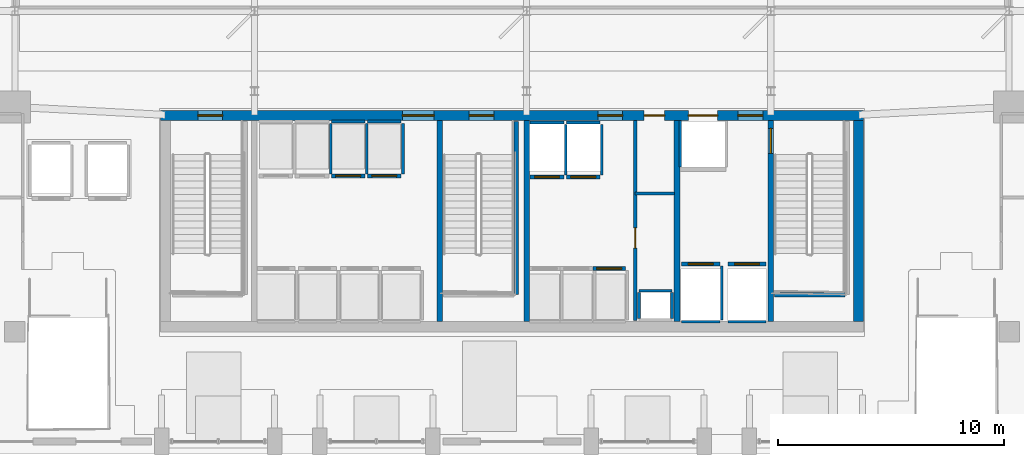
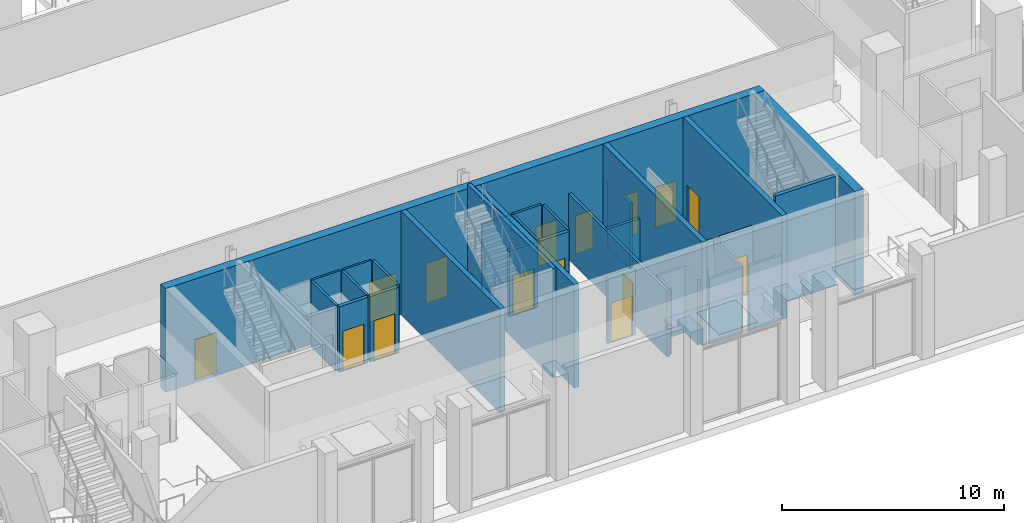
# One storey, part 20 of 36: 33 walls, 16 doors, 16 openings.
"""IFC4 building model written with IfcOpenShell, lengths in metres."""

import ifcopenshell
import ifcopenshell.guid

model = None  # the IFC model being written
_history = None  # IfcOwnerHistory: only IFC2X3 demands one
_inside = {}  # id of a spatial element -> (the spatial element, [elements in it])
_under = {}  # id of a project, library or spatial element -> (it, [spatial elements below it])
_declared = {}  # id of a project -> (the project, [libraries it declares])
_typed = {}  # id of a type object -> (the type object, [elements of that type])
_made_of = {}  # id of a material, layer set ... -> (it, [elements and type objects made of it])


def new_model(schema):
    """Start an empty IFC model of exactly this schema.

    Asked for "IFC4X3", IfcOpenShell would pick the latest addendum, in which some entities
    have other attributes; the version numbers below select the first issue.
    IFC2X3 requires an IfcOwnerHistory on every rooted entity: one is made here for all.
    """
    global model, _history
    if schema == "IFC4X3":
        model = ifcopenshell.file(schema_version=(4, 3, 0, 0))
    else:
        model = ifcopenshell.file(schema=schema)
    _inside.clear()
    _under.clear()
    _declared.clear()
    _typed.clear()
    _made_of.clear()
    _history = None
    if model.schema == "IFC2X3":
        org = make("IfcOrganization", Name="unknown")
        user = make(
            "IfcPersonAndOrganization",
            ThePerson=make("IfcPerson", FamilyName="unknown"),
            TheOrganization=org,
        )
        app = make(
            "IfcApplication",
            ApplicationDeveloper=org,
            Version="unknown",
            ApplicationFullName="unknown",
            ApplicationIdentifier="unknown",
        )
        _history = make(
            "IfcOwnerHistory",
            OwningUser=user,
            OwningApplication=app,
            ChangeAction="ADDED",
            CreationDate=0,
        )
    return model


def make(cls, **values):
    """One entity of the class cls with the attributes given. An attribute that is None is left unset."""
    return model.create_entity(
        cls, **{name: value for name, value in values.items() if value is not None}
    )


def rooted(cls, **values):
    """An entity with a GlobalId (a new one), such as an element, a storey or a relation."""
    return make(cls, GlobalId=ifcopenshell.guid.new(), OwnerHistory=_history, **values)


def si_unit(unit_type, name, prefix=None):
    """IfcSIUnit, for example si_unit("LENGTHUNIT", "METRE", prefix="MILLI")."""
    return make("IfcSIUnit", UnitType=unit_type, Prefix=prefix, Name=name)


def assignment(units):
    """IfcUnitAssignment: the units of a project."""
    return None if units is None else make("IfcUnitAssignment", Units=units)


def point(xyz):
    """IfcCartesianPoint."""
    return None if xyz is None else make("IfcCartesianPoint", Coordinates=xyz)


def direction(xyz):
    """IfcDirection."""
    return None if xyz is None else make("IfcDirection", DirectionRatios=xyz)


def frame(location, z_axis=None, x_axis=None):
    """IfcAxis2Placement3D, a coordinate frame: its origin and axes. An axis left out is left unset."""
    return make(
        "IfcAxis2Placement3D",
        Location=point(location),
        Axis=direction(z_axis),
        RefDirection=direction(x_axis),
    )


def frame_2d(location, x_axis=None):
    """IfcAxis2Placement2D, a coordinate frame in the plane: its origin and x axis."""
    return make(
        "IfcAxis2Placement2D", Location=point(location), RefDirection=direction(x_axis)
    )


def origin():
    """The frame at (0, 0, 0) with its axes left unset."""
    return frame((0.0, 0.0, 0.0))


def place(relative_to, where):
    """IfcLocalPlacement: puts the frame where relative to a parent placement (None: the world)."""
    return make(
        "IfcLocalPlacement", PlacementRelTo=relative_to, RelativePlacement=where
    )


def context(
    kind, dimensions, precision=None, world=None, true_north=None, identifier=None
):
    """IfcGeometricRepresentationContext, for example the 3D "Model" context."""
    return make(
        "IfcGeometricRepresentationContext",
        ContextIdentifier=identifier,
        ContextType=kind,
        CoordinateSpaceDimension=dimensions,
        Precision=precision,
        WorldCoordinateSystem=world,
        TrueNorth=true_north,
    )


def subcontext(parent, identifier, kind, view, scale=None):
    """IfcGeometricRepresentationSubContext, for example "Body" below "Model"."""
    return make(
        "IfcGeometricRepresentationSubContext",
        ContextIdentifier=identifier,
        ContextType=kind,
        ParentContext=parent,
        TargetScale=scale,
        TargetView=view,
    )


def project(units=None, contexts=None):
    """IfcProject with its units and contexts."""
    return rooted(
        "IfcProject",
        Name="project",
        RepresentationContexts=contexts,
        UnitsInContext=assignment(units),
    )


def spatial(cls, under=None, at=None, **own):
    """A site, building, storey or space (cls), placed at a placement, below another one or the project."""
    s = rooted(cls, ObjectPlacement=at, **own)
    if under is not None:
        _under.setdefault(under.id(), (under, []))[1].append(s)
    return s


def profile(cls, at=None, kind="AREA", **sizes):
    """A parametric profile (cls). Its sizes go by their IFC names, for example OverallWidth=200.0."""
    return make(cls, ProfileType=kind, Position=at, **sizes)


def rectangle(**sizes):
    """IfcRectangleProfileDef."""
    return profile("IfcRectangleProfileDef", **sizes)


def extrude(swept, where, along, depth):
    """IfcExtrudedAreaSolid: the profile swept, set in the frame where, extruded along a direction by depth."""
    return make(
        "IfcExtrudedAreaSolid",
        SweptArea=swept,
        Position=where,
        ExtrudedDirection=direction(along),
        Depth=depth,
    )


def shape(context_of_items, identifier, shape_type, items):
    """IfcShapeRepresentation: the items that make up one representation, for example the "Body"."""
    return make(
        "IfcShapeRepresentation",
        ContextOfItems=context_of_items,
        RepresentationIdentifier=identifier,
        RepresentationType=shape_type,
        Items=items,
    )


def material(Name=None, Category=None):
    """IfcMaterial."""
    return make("IfcMaterial", Name=Name, Category=Category)


def layer(
    of_material, thickness, ventilated=None, Name=None, Category=None, Priority=None
):
    """IfcMaterialLayer: one layer of a wall or slab, of a material (None: an air gap)."""
    return make(
        "IfcMaterialLayer",
        Material=of_material,
        LayerThickness=thickness,
        IsVentilated=ventilated,
        Name=Name,
        Category=Category,
        Priority=Priority,
    )


def layer_set(layers, Name=None):
    """IfcMaterialLayerSet."""
    return make("IfcMaterialLayerSet", MaterialLayers=layers, LayerSetName=Name)


def made_of(thing, what):
    """Note that an element or type object is made of a material, layer set ...; save() writes the relation."""
    if what is not None:
        _made_of.setdefault(what.id(), (what, []))[1].append(thing)
    return thing


def type_object(cls, material=None, **own):
    """A type object (cls), such as IfcWallType, which elements share."""
    return made_of(rooted(cls, **own), material)


def element(
    cls,
    number,
    at=None,
    inside=None,
    cuts=None,
    type_object=None,
    material=None,
    context=None,
    identifier="Body",
    shape_type=None,
    held_by="IfcProductDefinitionShape",
    body=None,
    shapes=None,
    **own,
):
    """One element of the class cls, such as IfcWall. Its Tag is "e" and its number.

    at: its placement. inside: the storey or other place that contains it. cuts: it is an
    opening in that element (IfcRelVoidsElement). A single representation is given by context,
    identifier, shape_type and body (its items); several are given by shapes. held_by: the class
    of the entity that holds the representations. save() writes the other relations.
    """
    e = rooted(cls, Tag="e%d" % number, ObjectPlacement=at, **own)
    if body is not None:
        shapes = [shape(context, identifier, shape_type, body)]
    if shapes is not None:
        e.Representation = make(held_by, Representations=shapes)
    if inside is not None:
        _inside.setdefault(inside.id(), (inside, []))[1].append(e)
    if cuts is not None:
        rooted(
            "IfcRelVoidsElement", RelatingBuildingElement=cuts, RelatedOpeningElement=e
        )
    if type_object is not None:
        _typed.setdefault(type_object.id(), (type_object, []))[1].append(e)
    return made_of(e, material)


def fill(opening, filler):
    """IfcRelFillsElement: the door or window that sits in an opening."""
    return rooted(
        "IfcRelFillsElement",
        RelatingOpeningElement=opening,
        RelatedBuildingElement=filler,
    )


def aggregate(whole, parts):
    """IfcRelAggregates: a whole, such as a stair, and the parts it consists of."""
    return rooted("IfcRelAggregates", RelatingObject=whole, RelatedObjects=parts)


def save(model, path):
    """Write the relations noted so far, then the file.

    IfcRelAggregates (storeys below a building ...), IfcRelContainedInSpatialStructure (elements
    in a storey), IfcRelDefinesByType, IfcRelAssociatesMaterial and IfcRelDeclares: one each for
    every whole, place, type object, material and project.
    """
    for whole, parts in _under.values():
        aggregate(whole, parts)
    for where, things in _inside.values():
        rooted(
            "IfcRelContainedInSpatialStructure",
            RelatedElements=things,
            RelatingStructure=where,
        )
    for kind, things in _typed.values():
        rooted("IfcRelDefinesByType", RelatedObjects=things, RelatingType=kind)
    for what, things in _made_of.values():
        rooted("IfcRelAssociatesMaterial", RelatedObjects=things, RelatingMaterial=what)
    for by, libraries in _declared.values():
        rooted("IfcRelDeclares", RelatingContext=by, RelatedDefinitions=libraries)
    model.write(path)


model = new_model("IFC4")

# Units and contexts
model_context = context("Model", 3, precision=1e-05, world=origin(), true_north=direction((0.0, 1.0)))
body_context = subcontext(model_context, "Body", "Model", "MODEL_VIEW")
ifc_project = project(units=[si_unit("LENGTHUNIT", "METRE"), si_unit("AREAUNIT", "SQUARE_METRE"), si_unit("VOLUMEUNIT", "CUBIC_METRE"), si_unit("PLANEANGLEUNIT", "RADIAN"), si_unit("MASSUNIT", "GRAM", prefix="KILO")], contexts=[model_context])

# Site, building, storey
site_placement = place(None, origin())
site = spatial("IfcSite", under=ifc_project, at=site_placement, CompositionType="ELEMENT")
building_placement = place(site_placement, origin())
building = spatial("IfcBuilding", under=site, at=building_placement, Name="Ndaravel Arena Tower", CompositionType="ELEMENT")
storey_placement = place(building_placement, origin())
storey = spatial("IfcBuildingStorey", under=building, at=storey_placement, Name="L00", CompositionType="ELEMENT", Elevation=0.0)

# Wall, opening, door
ifc_material_1 = material(Name="Gypsum", Category="gypsum")
ifc_layer_1 = layer(ifc_material_1, 0.14990234375)
ifc_layer_set_1 = layer_set([ifc_layer_1], Name="Gypsum")
wall_type_1 = type_object("IfcWallType", Name="WALL-COMP-150", PredefinedType="PARTITIONING", material=ifc_layer_set_1)
wall_1_placement = place(storey_placement, frame((47.449951171875, 5.89990234375, 0.0), z_axis=(0.0, 0.0, 1.0), x_axis=(0.0, 1.0, 0.0)))
wall_1 = element("IfcWall", 1, at=wall_1_placement, inside=storey, type_object=wall_type_1, Name="L00 Core Riser Bay Partition", PredefinedType="PARTITIONING", context=body_context, shape_type="SweptSolid", body=[
    extrude(rectangle(XDim=8.85009765625, YDim=0.14990234375, at=frame_2d((4.425048828125, 0.0))), origin(), (0.0, 0.0, 1.0), 3.60009765625),
])
opening_1_placement = place(wall_1_placement, frame((3.199951171875, 0.0, 0.0)))
opening_1 = element("IfcOpeningElement", 2, at=opening_1_placement, cuts=wall_1, Name="Opening RD-01", PredefinedType="OPENING", context=body_context, shape_type="SweptSolid", body=[
    extrude(rectangle(XDim=0.89990234375, YDim=2.10009765625, at=frame_2d((0.449951171875, 1.050048828125))), frame((0.0, 0.074951171875, 0.0), z_axis=(0.0, -1.0, 0.0), x_axis=(1.0, 0.0, 0.0)), (0.0, 0.0, 1.0), 0.14990234375),
])
ifc_material_2 = material(Name="Steel S355", Category="steel")
door_type_1 = type_object("IfcDoorType", Name="DT-08-RISER-900", OperationType="SINGLE_SWING_LEFT", PredefinedType="DOOR", material=ifc_material_2)
door_1_placement = place(opening_1_placement, origin())
door_1 = element("IfcDoor", 3, at=door_1_placement, inside=storey, type_object=door_type_1, Name="L00 Sub-Metering Closet Door", OperationType="SINGLE_SWING_LEFT", OverallHeight=2.10009765625, OverallWidth=0.89990234375, PredefinedType="DOOR", context=body_context, shape_type="SweptSolid", body=[
    extrude(rectangle(XDim=0.89990234375, YDim=2.10009765625, at=frame_2d((0.449951171875, 1.050048828125))), frame((0.0, 0.02490234375, 0.0), z_axis=(0.0, -1.0, 0.0), x_axis=(1.0, 0.0, 0.0)), (0.0, 0.0, 1.0), 0.050048828125),
])
fill(opening_1, door_1)

# Walls
wall_2_placement = place(storey_placement, frame((47.449951171875, 11.52001953125, 0.0), z_axis=(0.0, 0.0, 1.0), x_axis=(1.0, 0.0, 0.0)))
element("IfcWall", 4, at=wall_2_placement, inside=storey, type_object=wall_type_1, Name="L00 Core Riser Divider 1", PredefinedType="PARTITIONING", context=body_context, shape_type="SweptSolid", body=[
    extrude(rectangle(XDim=1.72998046875, YDim=0.14990234375, at=frame_2d((0.864990234375, 0.0))), origin(), (0.0, 0.0, 1.0), 3.60009765625),
])
ifc_material_3 = material(Name="Concrete C60/75", Category="concrete")
ifc_layer_2 = layer(ifc_material_3, 0.25)
ifc_layer_set_2 = layer_set([ifc_layer_2], Name="Concrete C60/75")
wall_type_2 = type_object("IfcWallType", Name="WALL-CORE-250", PredefinedType="SOLIDWALL", material=ifc_layer_set_2)
for number, where, z_axis, x_axis, name in (
    (5, (38.800048828125, 5.85009765625, 0.0), (0.0, 0.0, 1.0), (0.0, 1.0, 0.0), "L00 Core Web Shear Wall 2"),
    (6, (42.64990234375, 5.85009765625, 0.0), (0.0, 0.0, 1.0), (0.0, 1.0, 0.0), "L00 Core Web Shear Wall 3"),
    (7, (49.300048828125, 5.85009765625, 0.0), (0.0, 0.0, 1.0), (0.0, 1.0, 0.0), "L00 Core Web Shear Wall 4"),
):
    element("IfcWall", number, at=place(storey_placement, frame(where, z_axis=z_axis, x_axis=x_axis)), inside=storey, type_object=wall_type_2, Name=name, PredefinedType="SOLIDWALL", context=body_context, shape_type="SweptSolid", body=[
        extrude(rectangle(XDim=8.89990234375, YDim=0.25, at=frame_2d((4.449951171875, 0.0))), origin(), (0.0, 0.0, 1.0), 5.699951171875),
    ])

# Wall, opening, door
wall_3_placement = place(storey_placement, frame((53.449951171875, 5.85009765625, 0.0), z_axis=(0.0, 0.0, 1.0), x_axis=(0.0, 1.0, 0.0)))
wall_3 = element("IfcWall", 8, at=wall_3_placement, inside=storey, type_object=wall_type_2, Name="L00 Core Web Shear Wall 5", PredefinedType="SOLIDWALL", context=body_context, shape_type="SweptSolid", body=[
    extrude(rectangle(XDim=8.89990234375, YDim=0.25, at=frame_2d((4.449951171875, 0.0))), origin(), (0.0, 0.0, 1.0), 5.699951171875),
])
opening_2_placement = place(wall_3_placement, frame((7.449951171875, 0.0, 0.0)))
opening_2 = element("IfcOpeningElement", 9, at=opening_2_placement, cuts=wall_3, Name="Opening FD-01", PredefinedType="OPENING", context=body_context, shape_type="SweptSolid", body=[
    extrude(rectangle(XDim=1.10009765625, YDim=2.199951171875, at=frame_2d((0.550048828125, 1.10009765625))), frame((0.0, 0.125, 0.0), z_axis=(0.0, -1.0, 0.0), x_axis=(1.0, 0.0, 0.0)), (0.0, 0.0, 1.0), 0.25),
])
ifc_material_4 = material(Name="Steel S355", Category="steel")
door_type_2 = type_object("IfcDoorType", Name="DT-01-STAIR-1100", OperationType="SINGLE_SWING_LEFT", PredefinedType="DOOR", material=ifc_material_4)
door_2_placement = place(opening_2_placement, origin())
door_2 = element("IfcDoor", 10, at=door_2_placement, inside=storey, type_object=door_type_2, Name="L00 Firefighting Lobby to ST-3 Door", OperationType="SINGLE_SWING_LEFT", OverallHeight=2.199951171875, OverallWidth=1.10009765625, PredefinedType="DOOR", context=body_context, shape_type="SweptSolid", body=[
    extrude(rectangle(XDim=1.10009765625, YDim=2.199951171875, at=frame_2d((0.550048828125, 1.10009765625))), frame((0.0, 0.02490234375, 0.0), z_axis=(0.0, -1.0, 0.0), x_axis=(1.0, 0.0, 0.0)), (0.0, 0.0, 1.0), 0.050048828125),
])
fill(opening_2, door_2)

# Wall, openings, doors
ifc_material_5 = material(Name="Concrete C60/75", Category="concrete")
ifc_layer_3 = layer(ifc_material_5, 0.449951171875)
ifc_layer_set_3 = layer_set([ifc_layer_3], Name="Concrete C60/75")
wall_type_3 = type_object("IfcWallType", Name="WALL-CORE-450", PredefinedType="SOLIDWALL", material=ifc_layer_set_3)
wall_4_placement = place(storey_placement, frame((26.449951171875, 14.97509765625, 0.0), z_axis=(0.0, 0.0, 1.0), x_axis=(1.0, 0.0, 0.0)))
wall_4 = element("IfcWall", 11, at=wall_4_placement, inside=storey, type_object=wall_type_3, Name="L00 Core North Shear Wall", PredefinedType="SOLIDWALL", context=body_context, shape_type="SweptSolid", body=[
    extrude(rectangle(XDim=31.10009765625, YDim=0.449951171875, at=frame_2d((15.550048828125, 0.0))), origin(), (0.0, 0.0, 1.0), 5.699951171875),
])
opening_3_placement = place(wall_4_placement, frame((1.64990234375, 0.0, 0.0)))
opening_3 = element("IfcOpeningElement", 12, at=opening_3_placement, cuts=wall_4, Name="Opening FD-01", PredefinedType="OPENING", context=body_context, shape_type="SweptSolid", body=[
    extrude(rectangle(XDim=1.10009765625, YDim=2.199951171875, at=frame_2d((0.550048828125, 1.10009765625))), frame((0.0, 0.22509765625, 0.0), z_axis=(0.0, -1.0, 0.0), x_axis=(1.0, 0.0, 0.0)), (0.0, 0.0, 1.0), 0.449951171875),
])
opening_4_placement = place(wall_4_placement, frame((13.64990234375, 0.0, 0.0)))
opening_4 = element("IfcOpeningElement", 13, at=opening_4_placement, cuts=wall_4, Name="Opening FD-01", PredefinedType="OPENING", context=body_context, shape_type="SweptSolid", body=[
    extrude(rectangle(XDim=1.10009765625, YDim=2.199951171875, at=frame_2d((0.550048828125, 1.10009765625))), frame((0.0, 0.22509765625, 0.0), z_axis=(0.0, -1.0, 0.0), x_axis=(1.0, 0.0, 0.0)), (0.0, 0.0, 1.0), 0.449951171875),
])
opening_5_placement = place(wall_4_placement, frame((25.550048828125, 0.0, 0.0)))
opening_5 = element("IfcOpeningElement", 14, at=opening_5_placement, cuts=wall_4, Name="Opening FD-01", PredefinedType="OPENING", context=body_context, shape_type="SweptSolid", body=[
    extrude(rectangle(XDim=1.10009765625, YDim=2.199951171875, at=frame_2d((0.550048828125, 1.10009765625))), frame((0.0, 0.22509765625, 0.0), z_axis=(0.0, -1.0, 0.0), x_axis=(1.0, 0.0, 0.0)), (0.0, 0.0, 1.0), 0.449951171875),
])
opening_6_placement = place(wall_4_placement, frame((10.699951171875, 0.0, 0.0)))
opening_6 = element("IfcOpeningElement", 15, at=opening_6_placement, cuts=wall_4, Name="Opening ID-02", PredefinedType="OPENING", context=body_context, shape_type="SweptSolid", body=[
    extrude(rectangle(XDim=1.39990234375, YDim=2.199951171875, at=frame_2d((0.699951171875, 1.10009765625))), frame((0.0, 0.22509765625, 0.0), z_axis=(0.0, -1.0, 0.0), x_axis=(1.0, 0.0, 0.0)), (0.0, 0.0, 1.0), 0.449951171875),
])
opening_7_placement = place(wall_4_placement, frame((19.35009765625, 0.0, 0.0)))
opening_7 = element("IfcOpeningElement", 16, at=opening_7_placement, cuts=wall_4, Name="Opening FD-01", PredefinedType="OPENING", context=body_context, shape_type="SweptSolid", body=[
    extrude(rectangle(XDim=1.10009765625, YDim=2.199951171875, at=frame_2d((0.550048828125, 1.10009765625))), frame((0.0, 0.22509765625, 0.0), z_axis=(0.0, -1.0, 0.0), x_axis=(1.0, 0.0, 0.0)), (0.0, 0.0, 1.0), 0.449951171875),
])
opening_8_placement = place(wall_4_placement, frame((21.39990234375, 0.0, 0.0)))
opening_8 = element("IfcOpeningElement", 17, at=opening_8_placement, cuts=wall_4, Name="Opening RD-01", PredefinedType="OPENING", context=body_context, shape_type="SweptSolid", body=[
    extrude(rectangle(XDim=0.89990234375, YDim=2.10009765625, at=frame_2d((0.449951171875, 1.050048828125))), frame((0.0, 0.22509765625, 0.0), z_axis=(0.0, -1.0, 0.0), x_axis=(1.0, 0.0, 0.0)), (0.0, 0.0, 1.0), 0.449951171875),
])
opening_9_placement = place(wall_4_placement, frame((23.35009765625, 0.0, 0.0)))
opening_9 = element("IfcOpeningElement", 18, at=opening_9_placement, cuts=wall_4, Name="Opening LD-02", PredefinedType="OPENING", context=body_context, shape_type="SweptSolid", body=[
    extrude(rectangle(XDim=1.300048828125, YDim=2.300048828125, at=frame_2d((0.64990234375, 1.14990234375))), frame((0.0, 0.22509765625, 0.0), z_axis=(0.0, -1.0, 0.0), x_axis=(1.0, 0.0, 0.0)), (0.0, 0.0, 1.0), 0.449951171875),
])
door_3_placement = place(opening_3_placement, origin())
door_3 = element("IfcDoor", 19, at=door_3_placement, inside=storey, type_object=door_type_2, Name="L00 Exit Stair ST-1 Door", OperationType="SINGLE_SWING_LEFT", OverallHeight=2.199951171875, OverallWidth=1.10009765625, PredefinedType="DOOR", context=body_context, shape_type="SweptSolid", body=[
    extrude(rectangle(XDim=1.10009765625, YDim=2.199951171875, at=frame_2d((0.550048828125, 1.10009765625))), frame((0.0, 0.02490234375, 0.0), z_axis=(0.0, -1.0, 0.0), x_axis=(1.0, 0.0, 0.0)), (0.0, 0.0, 1.0), 0.050048828125),
])
fill(opening_3, door_3)
door_4_placement = place(opening_4_placement, origin())
door_4 = element("IfcDoor", 20, at=door_4_placement, inside=storey, type_object=door_type_2, Name="L00 Exit Stair ST-2 Door", OperationType="SINGLE_SWING_RIGHT", OverallHeight=2.199951171875, OverallWidth=1.10009765625, PredefinedType="DOOR", context=body_context, shape_type="SweptSolid", body=[
    extrude(rectangle(XDim=1.10009765625, YDim=2.199951171875, at=frame_2d((0.550048828125, 1.10009765625))), frame((0.0, 0.02490234375, 0.0), z_axis=(0.0, -1.0, 0.0), x_axis=(1.0, 0.0, 0.0)), (0.0, 0.0, 1.0), 0.050048828125),
])
fill(opening_4, door_4)
door_5_placement = place(opening_5_placement, origin())
door_5 = element("IfcDoor", 21, at=door_5_placement, inside=storey, type_object=door_type_2, Name="L00 Firefighting Lift Lobby Door", OperationType="SINGLE_SWING_RIGHT", OverallHeight=2.199951171875, OverallWidth=1.10009765625, PredefinedType="DOOR", context=body_context, shape_type="SweptSolid", body=[
    extrude(rectangle(XDim=1.10009765625, YDim=2.199951171875, at=frame_2d((0.550048828125, 1.10009765625))), frame((0.0, 0.02490234375, 0.0), z_axis=(0.0, -1.0, 0.0), x_axis=(1.0, 0.0, 0.0)), (0.0, 0.0, 1.0), 0.050048828125),
])
fill(opening_5, door_5)
door_6_placement = place(opening_7_placement, origin())
door_6 = element("IfcDoor", 22, at=door_6_placement, inside=storey, type_object=door_type_2, Name="L00 Express Lift Lobby Entry Door", OperationType="SINGLE_SWING_LEFT", OverallHeight=2.199951171875, OverallWidth=1.10009765625, PredefinedType="DOOR", context=body_context, shape_type="SweptSolid", body=[
    extrude(rectangle(XDim=1.10009765625, YDim=2.199951171875, at=frame_2d((0.550048828125, 1.10009765625))), frame((0.0, 0.02490234375, 0.0), z_axis=(0.0, -1.0, 0.0), x_axis=(1.0, 0.0, 0.0)), (0.0, 0.0, 1.0), 0.050048828125),
])
fill(opening_7, door_6)
ifc_material_6 = material(Name="Timber", Category="wood")
door_type_3 = type_object("IfcDoorType", Name="DT-04-SUITE-1400", OperationType="DOUBLE_DOOR_SINGLE_SWING", PredefinedType="DOOR", material=ifc_material_6)
door_7_placement = place(opening_6_placement, origin())
door_7 = element("IfcDoor", 23, at=door_7_placement, inside=storey, type_object=door_type_3, Name="L00 West Lift Lobby Entry Door", OperationType="DOUBLE_DOOR_SINGLE_SWING", OverallHeight=2.199951171875, OverallWidth=1.39990234375, PredefinedType="DOOR", context=body_context, shape_type="SweptSolid", body=[
    extrude(rectangle(XDim=1.39990234375, YDim=2.199951171875, at=frame_2d((0.699951171875, 1.10009765625))), frame((0.0, 0.02490234375, 0.0), z_axis=(0.0, -1.0, 0.0), x_axis=(1.0, 0.0, 0.0)), (0.0, 0.0, 1.0), 0.050048828125),
])
fill(opening_6, door_7)
ifc_material_7 = material(Name="Steel S355", Category="steel")
door_type_4 = type_object("IfcDoorType", Name="DT-07-SVLIFT-1300", OperationType="DOUBLE_DOOR_SLIDING", PredefinedType="DOOR", material=ifc_material_7)
door_8_placement = place(opening_9_placement, origin())
door_8 = element("IfcDoor", 24, at=door_8_placement, inside=storey, type_object=door_type_4, Name="L00 Lift SVL-1 Sliding Landing Door", OperationType="DOUBLE_DOOR_SLIDING", OverallHeight=2.300048828125, OverallWidth=1.300048828125, PredefinedType="DOOR", context=body_context, shape_type="SweptSolid", body=[
    extrude(rectangle(XDim=1.300048828125, YDim=2.300048828125, at=frame_2d((0.64990234375, 1.14990234375))), frame((0.0, 0.02490234375, 0.0), z_axis=(0.0, -1.0, 0.0), x_axis=(1.0, 0.0, 0.0)), (0.0, 0.0, 1.0), 0.050048828125),
])
fill(opening_9, door_8)
door_9_placement = place(opening_8_placement, origin())
door_9 = element("IfcDoor", 25, at=door_9_placement, inside=storey, type_object=door_type_1, Name="L00 Core Service Riser North Door", OperationType="SINGLE_SWING_LEFT", OverallHeight=2.10009765625, OverallWidth=0.89990234375, PredefinedType="DOOR", context=body_context, shape_type="SweptSolid", body=[
    extrude(rectangle(XDim=0.89990234375, YDim=2.10009765625, at=frame_2d((0.449951171875, 1.050048828125))), frame((0.0, 0.02490234375, 0.0), z_axis=(0.0, -1.0, 0.0), x_axis=(1.0, 0.0, 0.0)), (0.0, 0.0, 1.0), 0.050048828125),
])
fill(opening_8, door_9)

# Walls
wall_5_placement = place(storey_placement, frame((57.324951171875, 5.85009765625, 0.0), z_axis=(0.0, 0.0, 1.0), x_axis=(0.0, 1.0, 0.0)))
element("IfcWall", 26, at=wall_5_placement, inside=storey, type_object=wall_type_3, Name="L00 Core East Shear Wall", PredefinedType="SOLIDWALL", context=body_context, shape_type="SweptSolid", body=[
    extrude(rectangle(XDim=8.89990234375, YDim=0.449951171875, at=frame_2d((4.449951171875, 0.0))), origin(), (0.0, 0.0, 1.0), 5.699951171875),
])
ifc_material_8 = material(Name="Concrete C40/50", Category="concrete")
ifc_layer_4 = layer(ifc_material_8, 0.1201171875)
ifc_layer_set_4 = layer_set([ifc_layer_4], Name="Concrete C40/50")
wall_type_4 = type_object("IfcWallType", Name="WALL-SHAFT-120", PredefinedType="SOLIDWALL", material=ifc_layer_set_4)
wall_6_placement = place(storey_placement, frame((47.6201171875, 7.219970703125, 0.0), z_axis=(0.0, 0.0, 1.0), x_axis=(1.0, 0.0, 0.0)))
element("IfcWall", 27, at=wall_6_placement, inside=storey, type_object=wall_type_4, Name="L00 MEP Riser Shaft N Wall", PredefinedType="SOLIDWALL", context=body_context, shape_type="SweptSolid", body=[
    extrude(rectangle(XDim=1.4599609375, YDim=0.1201171875, at=frame_2d((0.72998046875, 0.0))), origin(), (0.0, 0.0, 1.0), 3.60009765625),
])
for number, where, z_axis, x_axis, name in (
    (28, (47.6201171875, 6.0, 0.0), (0.0, 0.0, 1.0), (0.0, 1.0, 0.0), "L00 MEP Riser Shaft W Wall"),
    (29, (49.080078125, 6.0, 0.0), (0.0, 0.0, 1.0), (0.0, 1.0, 0.0), "L00 MEP Riser Shaft E Wall"),
):
    element("IfcWall", number, at=place(storey_placement, frame(where, z_axis=z_axis, x_axis=x_axis)), inside=storey, type_object=wall_type_4, Name=name, PredefinedType="SOLIDWALL", context=body_context, shape_type="SweptSolid", body=[
        extrude(rectangle(XDim=1.139892578125, YDim=0.1201171875, at=frame_2d((0.56982421875, 0.0))), origin(), (0.0, 0.0, 1.0), 3.60009765625),
    ])
wall_7_placement = place(storey_placement, frame((33.97509765625, 12.389892578125, 0.0), z_axis=(0.0, 0.0, 1.0), x_axis=(0.0, 1.0, 0.0)))
element("IfcWall", 30, at=wall_7_placement, inside=storey, type_object=wall_type_4, Name="L00 PL-M2 Shaft Side R Wall", PredefinedType="SOLIDWALL", context=body_context, shape_type="SweptSolid", body=[
    extrude(rectangle(XDim=2.230224609375, YDim=0.1201171875, at=frame_2d((1.115234375, 0.0))), origin(), (0.0, 0.0, 1.0), 3.60009765625),
])
wall_8_placement = place(storey_placement, frame((34.0048828125, 14.7099609375, 0.0), z_axis=(0.0, 0.0, 1.0), x_axis=(1.0, 0.0, 0.0)))
element("IfcWall", 31, at=wall_8_placement, inside=storey, type_object=wall_type_4, Name="L00 PL-M3 Shaft Rear Wall", PredefinedType="SOLIDWALL", context=body_context, shape_type="SweptSolid", body=[
    extrude(rectangle(XDim=1.490234375, YDim=0.1201171875, at=frame_2d((0.7451171875, 0.0))), origin(), (0.0, 0.0, 1.0), 3.60009765625),
])
wall_9_placement = place(storey_placement, frame((35.574951171875, 12.389892578125, 0.0), z_axis=(0.0, 0.0, 1.0), x_axis=(0.0, 1.0, 0.0)))
element("IfcWall", 32, at=wall_9_placement, inside=storey, type_object=wall_type_4, Name="L00 PL-M3 Shaft Side R Wall", PredefinedType="SOLIDWALL", context=body_context, shape_type="SweptSolid", body=[
    extrude(rectangle(XDim=2.230224609375, YDim=0.1201171875, at=frame_2d((1.115234375, 0.0))), origin(), (0.0, 0.0, 1.0), 3.60009765625),
])
wall_10_placement = place(storey_placement, frame((35.60498046875, 14.7099609375, 0.0), z_axis=(0.0, 0.0, 1.0), x_axis=(1.0, 0.0, 0.0)))
element("IfcWall", 33, at=wall_10_placement, inside=storey, type_object=wall_type_4, Name="L00 PL-M4 Shaft Rear Wall", PredefinedType="SOLIDWALL", context=body_context, shape_type="SweptSolid", body=[
    extrude(rectangle(XDim=1.489990234375, YDim=0.1201171875, at=frame_2d((0.7451171875, 0.0))), origin(), (0.0, 0.0, 1.0), 3.60009765625),
])
wall_11_placement = place(storey_placement, frame((37.175048828125, 12.389892578125, 0.0), z_axis=(0.0, 0.0, 1.0), x_axis=(0.0, 1.0, 0.0)))
element("IfcWall", 34, at=wall_11_placement, inside=storey, type_object=wall_type_4, Name="L00 PL-M4 Shaft Side R Wall", PredefinedType="SOLIDWALL", context=body_context, shape_type="SweptSolid", body=[
    extrude(rectangle(XDim=2.230224609375, YDim=0.1201171875, at=frame_2d((1.115234375, 0.0))), origin(), (0.0, 0.0, 1.0), 3.60009765625),
])
wall_12_placement = place(storey_placement, frame((42.804931640625, 14.659912109375, 0.0), z_axis=(0.0, 0.0, 1.0), x_axis=(1.0, 0.0, 0.0)))
element("IfcWall", 35, at=wall_12_placement, inside=storey, type_object=wall_type_4, Name="L00 PL-OBS1 Shaft Rear Wall", PredefinedType="SOLIDWALL", context=body_context, shape_type="SweptSolid", body=[
    extrude(rectangle(XDim=1.489990234375, YDim=0.1201171875, at=frame_2d((0.7451171875, 0.0))), origin(), (0.0, 0.0, 1.0), 3.60009765625),
])
wall_13_placement = place(storey_placement, frame((44.375, 12.340087890625, 0.0), z_axis=(0.0, 0.0, 1.0), x_axis=(0.0, 1.0, 0.0)))
element("IfcWall", 36, at=wall_13_placement, inside=storey, type_object=wall_type_4, Name="L00 PL-OBS1 Shaft Side R Wall", PredefinedType="SOLIDWALL", context=body_context, shape_type="SweptSolid", body=[
    extrude(rectangle(XDim=2.22998046875, YDim=0.1201171875, at=frame_2d((1.114990234375, 0.0))), origin(), (0.0, 0.0, 1.0), 3.60009765625),
])
wall_14_placement = place(storey_placement, frame((44.405029296875, 14.659912109375, 0.0), z_axis=(0.0, 0.0, 1.0), x_axis=(1.0, 0.0, 0.0)))
element("IfcWall", 37, at=wall_14_placement, inside=storey, type_object=wall_type_4, Name="L00 PL-OBS2 Shaft Rear Wall", PredefinedType="SOLIDWALL", context=body_context, shape_type="SweptSolid", body=[
    extrude(rectangle(XDim=1.489990234375, YDim=0.1201171875, at=frame_2d((0.7451171875, 0.0))), origin(), (0.0, 0.0, 1.0), 3.60009765625),
])
wall_15_placement = place(storey_placement, frame((45.97509765625, 12.340087890625, 0.0), z_axis=(0.0, 0.0, 1.0), x_axis=(0.0, 1.0, 0.0)))
element("IfcWall", 38, at=wall_15_placement, inside=storey, type_object=wall_type_4, Name="L00 PL-OBS2 Shaft Side R Wall", PredefinedType="SOLIDWALL", context=body_context, shape_type="SweptSolid", body=[
    extrude(rectangle(XDim=2.22998046875, YDim=0.1201171875, at=frame_2d((1.114990234375, 0.0))), origin(), (0.0, 0.0, 1.0), 3.60009765625),
])
wall_16_placement = place(storey_placement, frame((49.5048828125, 5.840087890625, 0.0), z_axis=(0.0, 0.0, 1.0), x_axis=(1.0, 0.0, 0.0)))
element("IfcWall", 39, at=wall_16_placement, inside=storey, type_object=wall_type_4, Name="L00 FFL-1 Shaft Rear Wall", PredefinedType="SOLIDWALL", context=body_context, shape_type="SweptSolid", body=[
    extrude(rectangle(XDim=1.690185546875, YDim=0.1201171875, at=frame_2d((0.84521484375, 0.0))), origin(), (0.0, 0.0, 1.0), 3.60009765625),
])
wall_17_placement = place(storey_placement, frame((51.27490234375, 5.929931640625, 0.0), z_axis=(0.0, 0.0, 1.0), x_axis=(0.0, 1.0, 0.0)))
element("IfcWall", 40, at=wall_17_placement, inside=storey, type_object=wall_type_4, Name="L00 FFL-1 Shaft Side R Wall", PredefinedType="SOLIDWALL", context=body_context, shape_type="SweptSolid", body=[
    extrude(rectangle(XDim=2.380126953125, YDim=0.1201171875, at=frame_2d((1.18994140625, 0.0))), origin(), (0.0, 0.0, 1.0), 3.60009765625),
])
wall_18_placement = place(storey_placement, frame((51.554931640625, 5.840087890625, 0.0), z_axis=(0.0, 0.0, 1.0), x_axis=(1.0, 0.0, 0.0)))
element("IfcWall", 41, at=wall_18_placement, inside=storey, type_object=wall_type_4, Name="L00 FFL-2 Shaft Rear Wall", PredefinedType="SOLIDWALL", context=body_context, shape_type="SweptSolid", body=[
    extrude(rectangle(XDim=1.690185546875, YDim=0.1201171875, at=frame_2d((0.84521484375, 0.0))), origin(), (0.0, 0.0, 1.0), 3.60009765625),
])
wall_19_placement = place(storey_placement, frame((49.43994140625, 12.68994140625, 0.0), z_axis=(0.0, 0.0, 1.0), x_axis=(0.0, 1.0, 0.0)))
element("IfcWall", 42, at=wall_19_placement, inside=storey, type_object=wall_type_4, Name="L00 SVL-1 Shaft W Wall", PredefinedType="SOLIDWALL", context=body_context, shape_type="SweptSolid", body=[
    extrude(rectangle(XDim=2.070068359375, YDim=0.1201171875, at=frame_2d((1.03515625, 0.0))), origin(), (0.0, 0.0, 1.0), 3.60009765625),
])
ifc_material_9 = material(Name="Concrete C40/50", Category="concrete")
ifc_layer_5 = layer(ifc_material_9, 0.199951171875)
ifc_layer_set_5 = layer_set([ifc_layer_5], Name="Concrete C40/50")
wall_type_5 = type_object("IfcWallType", Name="WALL-SHAFT-200", PredefinedType="SOLIDWALL", material=ifc_layer_set_5)
wall_20_placement = place(storey_placement, frame((42.18994140625, 14.699951171875, 0.0), z_axis=(0.0, 0.0, 1.0), x_axis=(0.0, -1.0, 0.0)))
element("IfcWall", 43, at=wall_20_placement, inside=storey, type_object=wall_type_5, Name="L00 ST-2 Structural Shaft Wall Right", PredefinedType="SOLIDWALL", context=body_context, shape_type="SweptSolid", body=[
    extrude(rectangle(XDim=7.64990234375, YDim=0.199951171875, at=frame_2d((3.824951171875, 0.0))), origin(), (0.0, 0.0, 1.0), 6.0),
])
wall_21_placement = place(storey_placement, frame((53.6201171875, 7.050048828125, 0.0), z_axis=(0.0, 0.0, 1.0), x_axis=(1.0, 0.0, 0.0)))
element("IfcWall", 44, at=wall_21_placement, inside=storey, type_object=wall_type_5, Name="L00 ST-3 Structural Shaft Wall Far", PredefinedType="SOLIDWALL", context=body_context, shape_type="SweptSolid", body=[
    extrude(rectangle(XDim=3.114990234375, YDim=0.199951171875, at=frame_2d((1.5576171875, 0.0))), origin(), (0.0, 0.0, 1.0), 6.0),
])

# Wall, opening, door
wall_22_placement = place(storey_placement, frame((34.0048828125, 12.300048828125, 0.0), z_axis=(0.0, 0.0, 1.0), x_axis=(1.0, 0.0, 0.0)))
wall_22 = element("IfcWall", 45, at=wall_22_placement, inside=storey, type_object=wall_type_5, Name="L00 PL-M3 Shaft Landing Wall", PredefinedType="SOLIDWALL", context=body_context, shape_type="SweptSolid", body=[
    extrude(rectangle(XDim=1.490234375, YDim=0.179931640625, at=frame_2d((0.7451171875, 0.0))), origin(), (0.0, 0.0, 1.0), 3.60009765625),
])
opening_10_placement = place(wall_22_placement, frame((0.195068359375, 0.0, 0.0)))
opening_10 = element("IfcOpeningElement", 46, at=opening_10_placement, cuts=wall_22, Name="Opening LD-01", PredefinedType="OPENING", context=body_context, shape_type="SweptSolid", body=[
    extrude(rectangle(XDim=1.10009765625, YDim=2.199951171875, at=frame_2d((0.550048828125, 1.10009765625))), frame((0.0, 0.08984375, 0.0), z_axis=(0.0, -1.0, 0.0), x_axis=(1.0, 0.0, 0.0)), (0.0, 0.0, 1.0), 0.179931640625),
])
ifc_material_10 = material(Name="Steel S355", Category="steel")
door_type_5 = type_object("IfcDoorType", Name="DT-06-LIFT-1100", OperationType="SLIDING_TO_LEFT", PredefinedType="DOOR", material=ifc_material_10)
door_10_placement = place(opening_10_placement, origin())
door_10 = element("IfcDoor", 47, at=door_10_placement, inside=storey, type_object=door_type_5, Name="L00 Lift PL-M3 Sliding Landing Door", OperationType="SLIDING_TO_LEFT", OverallHeight=2.199951171875, OverallWidth=1.10009765625, PredefinedType="DOOR", context=body_context, shape_type="SweptSolid", body=[
    extrude(rectangle(XDim=1.10009765625, YDim=2.199951171875, at=frame_2d((0.550048828125, 1.10009765625))), frame((0.0, 0.02490234375, 0.0), z_axis=(0.0, -1.0, 0.0), x_axis=(1.0, 0.0, 0.0)), (0.0, 0.0, 1.0), 0.050048828125),
])
fill(opening_10, door_10)

wall_23_placement = place(storey_placement, frame((35.60498046875, 12.300048828125, 0.0), z_axis=(0.0, 0.0, 1.0), x_axis=(1.0, 0.0, 0.0)))
wall_23 = element("IfcWall", 48, at=wall_23_placement, inside=storey, type_object=wall_type_5, Name="L00 PL-M4 Shaft Landing Wall", PredefinedType="SOLIDWALL", context=body_context, shape_type="SweptSolid", body=[
    extrude(rectangle(XDim=1.489990234375, YDim=0.179931640625, at=frame_2d((0.7451171875, 0.0))), origin(), (0.0, 0.0, 1.0), 3.60009765625),
])
opening_11_placement = place(wall_23_placement, frame((0.195068359375, 0.0, 0.0)))
opening_11 = element("IfcOpeningElement", 49, at=opening_11_placement, cuts=wall_23, Name="Opening LD-01", PredefinedType="OPENING", context=body_context, shape_type="SweptSolid", body=[
    extrude(rectangle(XDim=1.10009765625, YDim=2.199951171875, at=frame_2d((0.550048828125, 1.10009765625))), frame((0.0, 0.08984375, 0.0), z_axis=(0.0, -1.0, 0.0), x_axis=(1.0, 0.0, 0.0)), (0.0, 0.0, 1.0), 0.179931640625),
])
door_11_placement = place(opening_11_placement, origin())
door_11 = element("IfcDoor", 50, at=door_11_placement, inside=storey, type_object=door_type_5, Name="L00 Lift PL-M4 Sliding Landing Door", OperationType="SLIDING_TO_LEFT", OverallHeight=2.199951171875, OverallWidth=1.10009765625, PredefinedType="DOOR", context=body_context, shape_type="SweptSolid", body=[
    extrude(rectangle(XDim=1.10009765625, YDim=2.199951171875, at=frame_2d((0.550048828125, 1.10009765625))), frame((0.0, 0.02490234375, 0.0), z_axis=(0.0, -1.0, 0.0), x_axis=(1.0, 0.0, 0.0)), (0.0, 0.0, 1.0), 0.050048828125),
])
fill(opening_11, door_11)

wall_24_placement = place(storey_placement, frame((45.580078125, 8.199951171875, 0.0), z_axis=(0.0, 0.0, 1.0), x_axis=(1.0, 0.0, 0.0)))
wall_24 = element("IfcWall", 51, at=wall_24_placement, inside=storey, type_object=wall_type_5, Name="L00 PL-H3 Shaft Landing Wall", PredefinedType="SOLIDWALL", context=body_context, shape_type="SweptSolid", body=[
    extrude(rectangle(XDim=1.43994140625, YDim=0.179931640625, at=frame_2d((0.719970703125, 0.0))), origin(), (0.0, 0.0, 1.0), 3.60009765625),
])
opening_12_placement = place(wall_24_placement, frame((0.169921875, 0.0, 0.0)))
opening_12 = element("IfcOpeningElement", 52, at=opening_12_placement, cuts=wall_24, Name="Opening LD-01", PredefinedType="OPENING", context=body_context, shape_type="SweptSolid", body=[
    extrude(rectangle(XDim=1.10009765625, YDim=2.199951171875, at=frame_2d((0.550048828125, 1.10009765625))), frame((0.0, 0.08984375, 0.0), z_axis=(0.0, -1.0, 0.0), x_axis=(1.0, 0.0, 0.0)), (0.0, 0.0, 1.0), 0.179931640625),
])
door_12_placement = place(opening_12_placement, origin())
door_12 = element("IfcDoor", 53, at=door_12_placement, inside=storey, type_object=door_type_5, Name="L00 Lift PL-H3 Sliding Landing Door", OperationType="SLIDING_TO_LEFT", OverallHeight=2.199951171875, OverallWidth=1.10009765625, PredefinedType="DOOR", context=body_context, shape_type="SweptSolid", body=[
    extrude(rectangle(XDim=1.10009765625, YDim=2.199951171875, at=frame_2d((0.550048828125, 1.10009765625))), frame((0.0, 0.02490234375, 0.0), z_axis=(0.0, -1.0, 0.0), x_axis=(1.0, 0.0, 0.0)), (0.0, 0.0, 1.0), 0.050048828125),
])
fill(opening_12, door_12)

wall_25_placement = place(storey_placement, frame((42.804931640625, 12.25, 0.0), z_axis=(0.0, 0.0, 1.0), x_axis=(1.0, 0.0, 0.0)))
wall_25 = element("IfcWall", 54, at=wall_25_placement, inside=storey, type_object=wall_type_5, Name="L00 PL-OBS1 Shaft Landing Wall", PredefinedType="SOLIDWALL", context=body_context, shape_type="SweptSolid", body=[
    extrude(rectangle(XDim=1.489990234375, YDim=0.179931640625, at=frame_2d((0.7451171875, 0.0))), origin(), (0.0, 0.0, 1.0), 3.60009765625),
])
opening_13_placement = place(wall_25_placement, frame((0.195068359375, 0.0, 0.0)))
opening_13 = element("IfcOpeningElement", 55, at=opening_13_placement, cuts=wall_25, Name="Opening LD-01", PredefinedType="OPENING", context=body_context, shape_type="SweptSolid", body=[
    extrude(rectangle(XDim=1.10009765625, YDim=2.199951171875, at=frame_2d((0.550048828125, 1.10009765625))), frame((0.0, 0.08984375, 0.0), z_axis=(0.0, -1.0, 0.0), x_axis=(1.0, 0.0, 0.0)), (0.0, 0.0, 1.0), 0.179931640625),
])
door_13_placement = place(opening_13_placement, origin())
door_13 = element("IfcDoor", 56, at=door_13_placement, inside=storey, type_object=door_type_5, Name="L00 Lift PL-OBS1 Sliding Landing Door", OperationType="SLIDING_TO_LEFT", OverallHeight=2.199951171875, OverallWidth=1.10009765625, PredefinedType="DOOR", context=body_context, shape_type="SweptSolid", body=[
    extrude(rectangle(XDim=1.10009765625, YDim=2.199951171875, at=frame_2d((0.550048828125, 1.10009765625))), frame((0.0, 0.02490234375, 0.0), z_axis=(0.0, -1.0, 0.0), x_axis=(1.0, 0.0, 0.0)), (0.0, 0.0, 1.0), 0.050048828125),
])
fill(opening_13, door_13)

wall_26_placement = place(storey_placement, frame((44.405029296875, 12.25, 0.0), z_axis=(0.0, 0.0, 1.0), x_axis=(1.0, 0.0, 0.0)))
wall_26 = element("IfcWall", 57, at=wall_26_placement, inside=storey, type_object=wall_type_5, Name="L00 PL-OBS2 Shaft Landing Wall", PredefinedType="SOLIDWALL", context=body_context, shape_type="SweptSolid", body=[
    extrude(rectangle(XDim=1.489990234375, YDim=0.179931640625, at=frame_2d((0.7451171875, 0.0))), origin(), (0.0, 0.0, 1.0), 3.60009765625),
])
opening_14_placement = place(wall_26_placement, frame((0.195068359375, 0.0, 0.0)))
opening_14 = element("IfcOpeningElement", 58, at=opening_14_placement, cuts=wall_26, Name="Opening LD-01", PredefinedType="OPENING", context=body_context, shape_type="SweptSolid", body=[
    extrude(rectangle(XDim=1.10009765625, YDim=2.199951171875, at=frame_2d((0.550048828125, 1.10009765625))), frame((0.0, 0.08984375, 0.0), z_axis=(0.0, -1.0, 0.0), x_axis=(1.0, 0.0, 0.0)), (0.0, 0.0, 1.0), 0.179931640625),
])
door_14_placement = place(opening_14_placement, origin())
door_14 = element("IfcDoor", 59, at=door_14_placement, inside=storey, type_object=door_type_5, Name="L00 Lift PL-OBS2 Sliding Landing Door", OperationType="SLIDING_TO_LEFT", OverallHeight=2.199951171875, OverallWidth=1.10009765625, PredefinedType="DOOR", context=body_context, shape_type="SweptSolid", body=[
    extrude(rectangle(XDim=1.10009765625, YDim=2.199951171875, at=frame_2d((0.550048828125, 1.10009765625))), frame((0.0, 0.02490234375, 0.0), z_axis=(0.0, -1.0, 0.0), x_axis=(1.0, 0.0, 0.0)), (0.0, 0.0, 1.0), 0.050048828125),
])
fill(opening_14, door_14)

wall_27_placement = place(storey_placement, frame((49.5048828125, 8.39990234375, 0.0), z_axis=(0.0, 0.0, 1.0), x_axis=(1.0, 0.0, 0.0)))
wall_27 = element("IfcWall", 60, at=wall_27_placement, inside=storey, type_object=wall_type_5, Name="L00 FFL-1 Shaft Landing Wall", PredefinedType="SOLIDWALL", context=body_context, shape_type="SweptSolid", body=[
    extrude(rectangle(XDim=1.690185546875, YDim=0.179931640625, at=frame_2d((0.84521484375, 0.0))), origin(), (0.0, 0.0, 1.0), 3.60009765625),
])
opening_15_placement = place(wall_27_placement, frame((0.294921875, 0.0, 0.0)))
opening_15 = element("IfcOpeningElement", 61, at=opening_15_placement, cuts=wall_27, Name="Opening LD-01", PredefinedType="OPENING", context=body_context, shape_type="SweptSolid", body=[
    extrude(rectangle(XDim=1.10009765625, YDim=2.199951171875, at=frame_2d((0.550048828125, 1.10009765625))), frame((0.0, 0.08984375, 0.0), z_axis=(0.0, -1.0, 0.0), x_axis=(1.0, 0.0, 0.0)), (0.0, 0.0, 1.0), 0.179931640625),
])
door_15_placement = place(opening_15_placement, origin())
door_15 = element("IfcDoor", 62, at=door_15_placement, inside=storey, type_object=door_type_5, Name="L00 Lift FFL-1 Sliding Landing Door", OperationType="SLIDING_TO_LEFT", OverallHeight=2.199951171875, OverallWidth=1.10009765625, PredefinedType="DOOR", context=body_context, shape_type="SweptSolid", body=[
    extrude(rectangle(XDim=1.10009765625, YDim=2.199951171875, at=frame_2d((0.550048828125, 1.10009765625))), frame((0.0, 0.02490234375, 0.0), z_axis=(0.0, -1.0, 0.0), x_axis=(1.0, 0.0, 0.0)), (0.0, 0.0, 1.0), 0.050048828125),
])
fill(opening_15, door_15)

wall_28_placement = place(storey_placement, frame((51.554931640625, 8.39990234375, 0.0), z_axis=(0.0, 0.0, 1.0), x_axis=(1.0, 0.0, 0.0)))
wall_28 = element("IfcWall", 63, at=wall_28_placement, inside=storey, type_object=wall_type_5, Name="L00 FFL-2 Shaft Landing Wall", PredefinedType="SOLIDWALL", context=body_context, shape_type="SweptSolid", body=[
    extrude(rectangle(XDim=1.690185546875, YDim=0.179931640625, at=frame_2d((0.84521484375, 0.0))), origin(), (0.0, 0.0, 1.0), 3.60009765625),
])
opening_16_placement = place(wall_28_placement, frame((0.294921875, 0.0, 0.0)))
opening_16 = element("IfcOpeningElement", 64, at=opening_16_placement, cuts=wall_28, Name="Opening LD-01", PredefinedType="OPENING", context=body_context, shape_type="SweptSolid", body=[
    extrude(rectangle(XDim=1.10009765625, YDim=2.199951171875, at=frame_2d((0.550048828125, 1.10009765625))), frame((0.0, 0.08984375, 0.0), z_axis=(0.0, -1.0, 0.0), x_axis=(1.0, 0.0, 0.0)), (0.0, 0.0, 1.0), 0.179931640625),
])
door_16_placement = place(opening_16_placement, origin())
door_16 = element("IfcDoor", 65, at=door_16_placement, inside=storey, type_object=door_type_5, Name="L00 Lift FFL-2 Sliding Landing Door", OperationType="SLIDING_TO_LEFT", OverallHeight=2.199951171875, OverallWidth=1.10009765625, PredefinedType="DOOR", context=body_context, shape_type="SweptSolid", body=[
    extrude(rectangle(XDim=1.10009765625, YDim=2.199951171875, at=frame_2d((0.550048828125, 1.10009765625))), frame((0.0, 0.02490234375, 0.0), z_axis=(0.0, -1.0, 0.0), x_axis=(1.0, 0.0, 0.0)), (0.0, 0.0, 1.0), 0.050048828125),
])
fill(opening_16, door_16)

save(model, "model.ifc")
